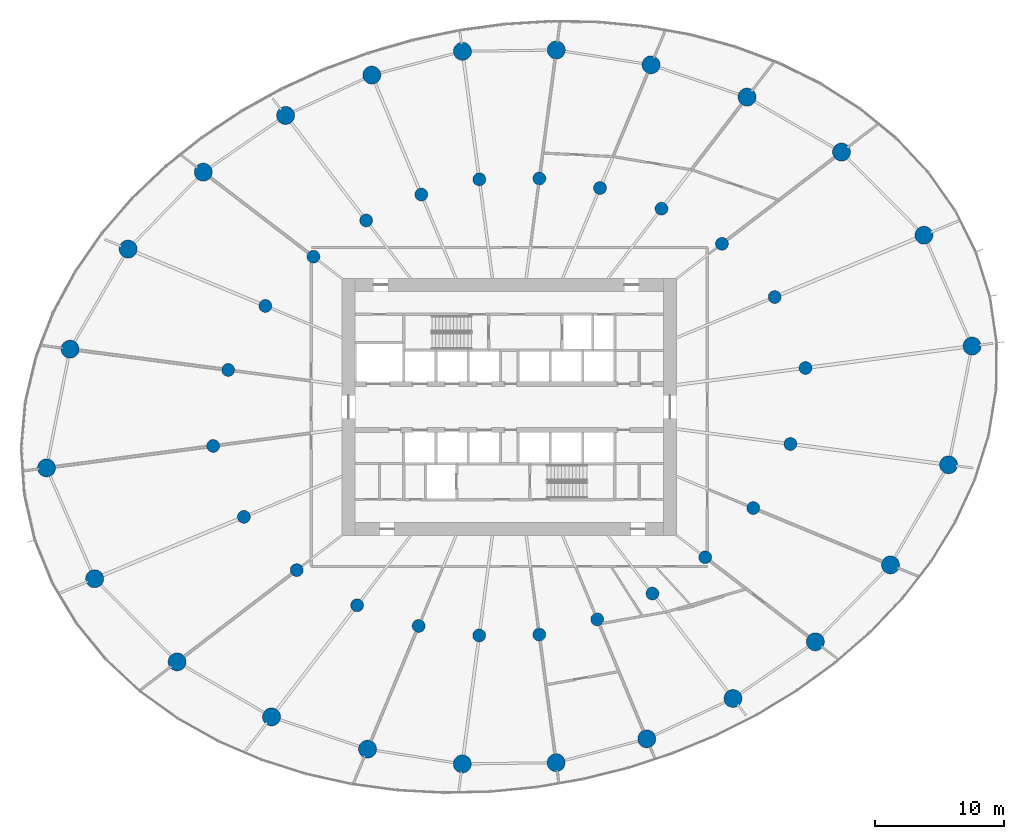
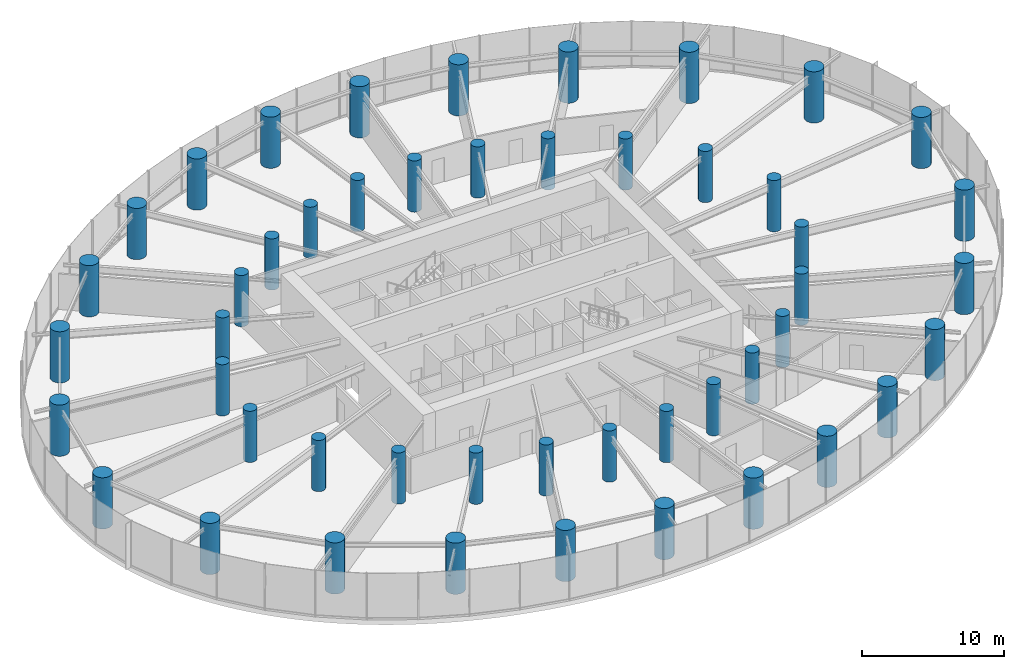
# One storey, part 1 of 18: 48 columns.
"""IFC4 building model written with IfcOpenShell, lengths in metres."""

from ifc_helpers import new_model, si_unit, direction, frame, origin, origin_2d, place, context, subcontext, project, spatial, circle, extrude, source, transform, mapped, material, material_profile, profile_set, type_object, element, save


model = new_model("IFC4")

# Units and contexts
model_context = context("Model", 3, precision=1e-05, world=origin(), true_north=direction((0.0, 1.0)))
body_context = subcontext(model_context, "Body", "Model", "MODEL_VIEW")
ifc_project = project(units=[si_unit("LENGTHUNIT", "METRE"), si_unit("AREAUNIT", "SQUARE_METRE"), si_unit("VOLUMEUNIT", "CUBIC_METRE"), si_unit("PLANEANGLEUNIT", "RADIAN"), si_unit("MASSUNIT", "GRAM", prefix="KILO")], contexts=[model_context])

# Site, building, storey
site_placement = place(None, origin())
site = spatial("IfcSite", under=ifc_project, at=site_placement, CompositionType="ELEMENT")
building_placement = place(site_placement, origin())
building = spatial("IfcBuilding", under=site, at=building_placement, Name="Spindrift Exchange Tower", CompositionType="ELEMENT")
storey_placement = place(building_placement, frame((0.0, 0.0, 62.199951171875)))
storey = spatial("IfcBuildingStorey", under=building, at=storey_placement, Name="L14", CompositionType="ELEMENT", Elevation=62.199951171875)

# Columns
ifc_material = material(Name="Concrete 80 MPa", Category="concrete")
ifc_material_profile_1 = material_profile(ifc_material, circle(Radius=0.699951171875, at=origin_2d()), Name="RC D1400")
ifc_profile_set_1 = profile_set([ifc_material_profile_1], Name="Concrete 80 MPa")
column_type_1 = type_object("IfcColumnType", Name="RC Perimeter Column D1400 Concrete 80 MPa", PredefinedType="COLUMN", material=ifc_profile_set_1)
shared_shape_1 = source(origin(), body_context, "Body", "SweptSolid", [
    extrude(circle(Radius=0.699951171875, at=origin_2d()), origin(), (0.0, 0.0, 1.0), 4.400146484375),
])
for number, where, z_axis, x_axis, name in (
    (1, (87.990478515625, 52.73828125, 0.0), (0.0, 0.0, 1.0), (1.0, 0.0, 0.0), "Perimeter column P1-01 L14"),
    (2, (84.248779296875, 61.35791015625, 0.0), (0.0, 0.0, 1.0), (1.0, 0.0, 0.0), "Perimeter column P1-02 L14"),
    (3, (77.835693359375, 67.82421875, 0.0), (0.0, 0.0, 1.0), (1.0, 0.0, 0.0), "Perimeter column P1-03 L14"),
    (4, (70.4921875, 72.099609375, 0.0), (0.0, 0.0, 1.0), (1.0, 0.0, 0.0), "Perimeter column P1-04 L14"),
    (5, (63.022705078125, 74.611328125, 0.0), (0.0, 0.0, 1.0), (1.0, 0.0, 0.0), "Perimeter column P1-05 L14"),
    (6, (55.65478515625, 75.761474609375, 0.0), (0.0, 0.0, 1.0), (1.0, 0.0, 0.0), "Perimeter column P1-06 L14"),
    (7, (48.3583984375, 75.661376953125, 0.0), (0.0, 0.0, 1.0), (1.0, 0.0, 0.0), "Perimeter column P1-07 L14"),
    (8, (41.309814453125, 73.80859375, 0.0), (0.0, 0.0, 1.0), (1.0, 0.0, 0.0), "Perimeter column P1-08 L14"),
    (9, (34.603515625, 70.671630859375, 0.0), (0.0, 0.0, 1.0), (1.0, 0.0, 0.0), "Perimeter column P1-09 L14"),
    (10, (28.199462890625, 66.2626953125, 0.0), (0.0, 0.0, 1.0), (1.0, 0.0, 0.0), "Perimeter column P1-10 L14"),
    (11, (22.35546875, 60.279296875, 0.0), (0.0, 0.0, 1.0), (1.0, 0.0, 0.0), "Perimeter column P1-11 L14"),
    (12, (17.8388671875, 52.497314453125, 0.0), (0.0, 0.0, 1.0), (1.0, 0.0, 0.0), "Perimeter column P1-12 L14"),
    (13, (16.009521484375, 43.26171875, 0.0), (0.0, 0.0, 1.0), (1.0, 0.0, 0.0), "Perimeter column P1-13 L14"),
    (14, (19.751220703125, 34.64208984375, 0.0), (0.0, 0.0, 1.0), (1.0, 0.0, 0.0), "Perimeter column P1-14 L14"),
    (15, (26.164306640625, 28.17578125, 0.0), (0.0, 0.0, 1.0), (1.0, 0.0, 0.0), "Perimeter column P1-15 L14"),
    (16, (33.5078125, 23.900390625, 0.0), (0.0, 0.0, 1.0), (1.0, 0.0, 0.0), "Perimeter column P1-16 L14"),
    (17, (40.977294921875, 21.388671875, 0.0), (0.0, 0.0, 1.0), (1.0, 0.0, 0.0), "Perimeter column P1-17 L14"),
    (18, (48.34521484375, 20.238525390625, 0.0), (0.0, 0.0, 1.0), (1.0, 0.0, 0.0), "Perimeter column P1-18 L14"),
    (19, (55.6416015625, 20.338623046875, 0.0), (0.0, 0.0, 1.0), (1.0, 0.0, 0.0), "Perimeter column P1-19 L14"),
    (20, (62.690185546875, 22.19140625, 0.0), (0.0, 0.0, 1.0), (1.0, 0.0, 0.0), "Perimeter column P1-20 L14"),
    (21, (69.396484375, 25.328369140625, 0.0), (0.0, 0.0, 1.0), (1.0, 0.0, 0.0), "Perimeter column P1-21 L14"),
    (22, (75.800537109375, 29.7373046875, 0.0), (0.0, 0.0, 1.0), (1.0, 0.0, 0.0), "Perimeter column P1-22 L14"),
    (23, (81.64453125, 35.720703125, 0.0), (0.0, 0.0, 1.0), (1.0, 0.0, 0.0), "Perimeter column P1-23 L14"),
    (24, (86.1611328125, 43.502685546875, 0.0), (0.0, 0.0, 1.0), (1.0, 0.0, 0.0), "Perimeter column P1-24 L14"),
):
    element("IfcColumn", number, at=place(storey_placement, frame(where, z_axis=z_axis, x_axis=x_axis)), inside=storey, type_object=column_type_1, Name=name, PredefinedType="COLUMN", context=body_context, shape_type="MappedRepresentation", body=[
        mapped(shared_shape_1, transform((0.0, 0.0, 0.0), scale=1.0)),
    ])
ifc_material_profile_2 = material_profile(ifc_material, circle(Radius=0.5, at=origin_2d()), Name="RC D1000")
ifc_profile_set_2 = profile_set([ifc_material_profile_2], Name="Concrete 80 MPa")
column_type_2 = type_object("IfcColumnType", Name="RC Inner Column D1000 Concrete 80 MPa", PredefinedType="COLUMN", material=ifc_profile_set_2)
shared_shape_2 = source(origin(), body_context, "Body", "SweptSolid", [
    extrude(circle(Radius=0.5, at=origin_2d()), origin(), (0.0, 0.0, 1.0), 4.400146484375),
])
for number, where, z_axis, x_axis, name in (
    (25, (75.033935546875, 51.032470703125, 0.0), (0.0, 0.0, 1.0), (1.0, 0.0, 0.0), "Inner column Q1-01 L14"),
    (26, (72.639404296875, 56.549072265625, 0.0), (0.0, 0.0, 1.0), (1.0, 0.0, 0.0), "Inner column Q1-02 L14"),
    (27, (68.534912109375, 60.6875, 0.0), (0.0, 0.0, 1.0), (1.0, 0.0, 0.0), "Inner column Q1-03 L14"),
    (28, (63.835205078125, 63.423828125, 0.0), (0.0, 0.0, 1.0), (1.0, 0.0, 0.0), "Inner column Q1-04 L14"),
    (29, (59.0546875, 65.03125, 0.0), (0.0, 0.0, 1.0), (1.0, 0.0, 0.0), "Inner column Q1-05 L14"),
    (30, (54.339111328125, 65.767333984375, 0.0), (0.0, 0.0, 1.0), (1.0, 0.0, 0.0), "Inner column Q1-06 L14"),
    (31, (49.669189453125, 65.703125, 0.0), (0.0, 0.0, 1.0), (1.0, 0.0, 0.0), "Inner column Q1-07 L14"),
    (32, (45.158203125, 64.517578125, 0.0), (0.0, 0.0, 1.0), (1.0, 0.0, 0.0), "Inner column Q1-08 L14"),
    (33, (40.8662109375, 62.510009765625, 0.0), (0.0, 0.0, 1.0), (1.0, 0.0, 0.0), "Inner column Q1-09 L14"),
    (34, (36.767578125, 59.688232421875, 0.0), (0.0, 0.0, 1.0), (1.0, 0.0, 0.0), "Inner column Q1-10 L14"),
    (35, (33.027587890625, 55.858642578125, 0.0), (0.0, 0.0, 1.0), (1.0, 0.0, 0.0), "Inner column Q1-11 L14"),
    (36, (30.13671875, 50.87841796875, 0.0), (0.0, 0.0, 1.0), (1.0, 0.0, 0.0), "Inner column Q1-12 L14"),
    (37, (28.966064453125, 44.967529296875, 0.0), (0.0, 0.0, 1.0), (1.0, 0.0, 0.0), "Inner column Q1-13 L14"),
    (38, (31.360595703125, 39.450927734375, 0.0), (0.0, 0.0, 1.0), (1.0, 0.0, 0.0), "Inner column Q1-14 L14"),
    (39, (35.465087890625, 35.3125, 0.0), (0.0, 0.0, 1.0), (1.0, 0.0, 0.0), "Inner column Q1-15 L14"),
    (40, (40.164794921875, 32.576171875, 0.0), (0.0, 0.0, 1.0), (1.0, 0.0, 0.0), "Inner column Q1-16 L14"),
    (41, (44.9453125, 30.96875, 0.0), (0.0, 0.0, 1.0), (1.0, 0.0, 0.0), "Inner column Q1-17 L14"),
    (42, (49.660888671875, 30.232666015625, 0.0), (0.0, 0.0, 1.0), (1.0, 0.0, 0.0), "Inner column Q1-18 L14"),
    (43, (54.330810546875, 30.296875, 0.0), (0.0, 0.0, 1.0), (1.0, 0.0, 0.0), "Inner column Q1-19 L14"),
    (44, (58.841796875, 31.482421875, 0.0), (0.0, 0.0, 1.0), (1.0, 0.0, 0.0), "Inner column Q1-20 L14"),
    (45, (63.1337890625, 33.489990234375, 0.0), (0.0, 0.0, 1.0), (1.0, 0.0, 0.0), "Inner column Q1-21 L14"),
    (46, (67.232421875, 36.311767578125, 0.0), (0.0, 0.0, 1.0), (1.0, 0.0, 0.0), "Inner column Q1-22 L14"),
    (47, (70.972412109375, 40.141357421875, 0.0), (0.0, 0.0, 1.0), (1.0, 0.0, 0.0), "Inner column Q1-23 L14"),
    (48, (73.86328125, 45.12158203125, 0.0), (0.0, 0.0, 1.0), (1.0, 0.0, 0.0), "Inner column Q1-24 L14"),
):
    element("IfcColumn", number, at=place(storey_placement, frame(where, z_axis=z_axis, x_axis=x_axis)), inside=storey, type_object=column_type_2, Name=name, PredefinedType="COLUMN", context=body_context, shape_type="MappedRepresentation", body=[
        mapped(shared_shape_2, transform((0.0, 0.0, 0.0), scale=1.0)),
    ])

save(model, "model.ifc")
